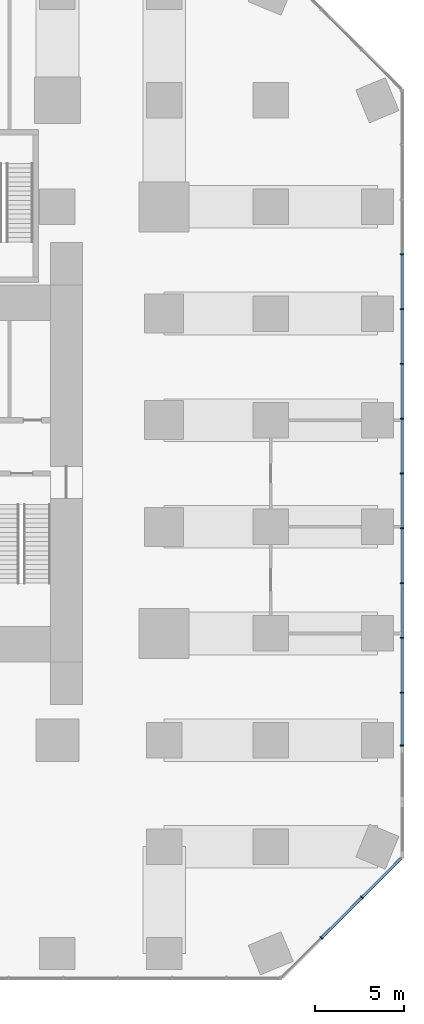
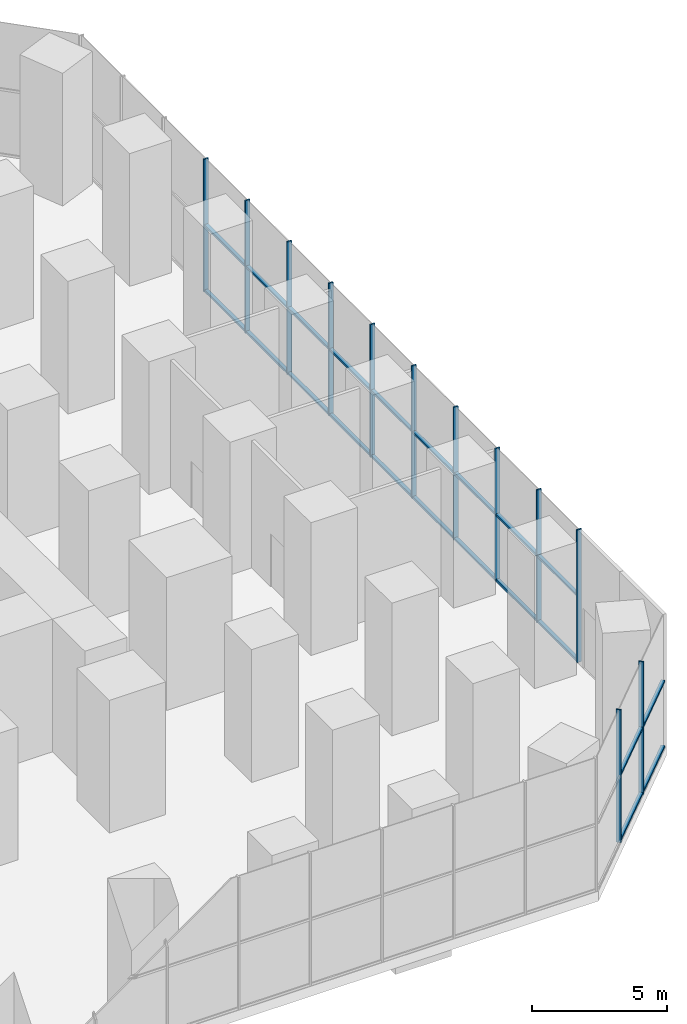
# One storey, part 8 of 21: 34 members, 2 elements without a shape of their own.
"""IFC4 building model written with IfcOpenShell, lengths in metres."""

from ifc_helpers import new_model, si_unit, direction, frame, origin, origin_2d, place, context, subcontext, project, spatial, rectangle, extrude, material, layer, layer_set, material_profile, profile_set, type_object, element, aggregate, save


model = new_model("IFC4")

# Units and contexts
model_context = context("Model", 3, precision=1e-05, world=origin(), true_north=direction((0.0, 1.0)))
body_context = subcontext(model_context, "Body", "Model", "MODEL_VIEW")
ifc_project = project(units=[si_unit("LENGTHUNIT", "METRE"), si_unit("AREAUNIT", "SQUARE_METRE"), si_unit("VOLUMEUNIT", "CUBIC_METRE"), si_unit("PLANEANGLEUNIT", "RADIAN"), si_unit("MASSUNIT", "GRAM", prefix="KILO")], contexts=[model_context])

# Site, building, storey
site_placement = place(None, origin())
site = spatial("IfcSite", under=ifc_project, at=site_placement, CompositionType="ELEMENT")
building_placement = place(site_placement, origin())
building = spatial("IfcBuilding", under=site, at=building_placement, Name="Highveld Stack Headquarters", CompositionType="ELEMENT")
storey_placement = place(building_placement, origin())
storey = spatial("IfcBuildingStorey", under=building, at=storey_placement, Name="L00", CompositionType="ELEMENT", Elevation=0.0)

# Curtain wall, members
ifc_material_1 = material(Name="Aluminium bronze anodised", Category="aluminium")
ifc_layer = layer(ifc_material_1, 0.199951171875)
ifc_layer_set = layer_set([ifc_layer], Name="Aluminium bronze anodised")
curtain_wall_type = type_object("IfcCurtainWallType", Name="CW3 PODIUM STICK CURTAIN WALL", PredefinedType="NOTDEFINED", material=ifc_layer_set)
curtain_wall_1_placement = place(storey_placement, origin())
curtain_wall_1 = element("IfcCurtainWall", 1, at=curtain_wall_1_placement, inside=storey, type_object=curtain_wall_type, Name="Curtain wall CW3 L00 SE", PredefinedType="NOTDEFINED")
ifc_material_2 = material(Name="Aluminium bronze anodised", Category="aluminium")
ifc_material_profile_1 = material_profile(ifc_material_2, rectangle(XDim=0.199951171875, YDim=0.06494140625, at=origin_2d()), Name="CW3 MULLION 65x200")
ifc_profile_set_1 = profile_set([ifc_material_profile_1], Name="Aluminium bronze anodised")
member_type_1 = type_object("IfcMemberType", Name="CW3 MULLION 65x200", PredefinedType="MULLION", material=ifc_profile_set_1)
member_1_placement = place(storey_placement, frame((32.853271484375, -23.126708984375, 0.0), z_axis=(0.0, 0.0, 1.0), x_axis=(-0.707106781187, 0.707106781187, 0.0)))
member_1 = element("IfcMember", 2, at=member_1_placement, type_object=member_type_1, Name="CW3 mullion L00 1", PredefinedType="MULLION", context=body_context, shape_type="SweptSolid", body=[
    extrude(rectangle(XDim=0.199951171875, YDim=0.06494140625, at=origin_2d()), origin(), (0.0, 0.0, 1.0), 6.0),
])
member_2_placement = place(storey_placement, frame((35.126708984375, -20.853271484375, 0.0), z_axis=(0.0, 0.0, 1.0), x_axis=(-0.707106781187, 0.707106781187, 0.0)))
member_2 = element("IfcMember", 3, at=member_2_placement, type_object=member_type_1, Name="CW3 mullion L00 2", PredefinedType="MULLION", context=body_context, shape_type="SweptSolid", body=[
    extrude(rectangle(XDim=0.199951171875, YDim=0.06494140625, at=origin_2d()), origin(), (0.0, 0.0, 1.0), 6.0),
])

curtain_wall_2_placement = place(storey_placement, origin())
curtain_wall_2 = element("IfcCurtainWall", 4, at=curtain_wall_2_placement, inside=storey, type_object=curtain_wall_type, Name="Curtain wall CW3 L00 E", PredefinedType="NOTDEFINED")
member_3_placement = place(storey_placement, frame((37.39990234375, -12.306640625, 0.0), z_axis=(0.0, 0.0, 1.0), x_axis=(-1.0, 0.0, 0.0)))
member_3 = element("IfcMember", 5, at=member_3_placement, type_object=member_type_1, Name="CW3 mullion L00 1", PredefinedType="MULLION", context=body_context, shape_type="SweptSolid", body=[
    extrude(rectangle(XDim=0.199951171875, YDim=0.06494140625, at=origin_2d()), origin(), (0.0, 0.0, 1.0), 6.0),
])
member_4_placement = place(storey_placement, frame((37.39990234375, -9.331298828125, 0.0), z_axis=(0.0, 0.0, 1.0), x_axis=(-1.0, 0.0, 0.0)))
member_4 = element("IfcMember", 6, at=member_4_placement, type_object=member_type_1, Name="CW3 mullion L00 2", PredefinedType="MULLION", context=body_context, shape_type="SweptSolid", body=[
    extrude(rectangle(XDim=0.199951171875, YDim=0.06494140625, at=origin_2d()), origin(), (0.0, 0.0, 1.0), 6.0),
])
member_5_placement = place(storey_placement, frame((37.39990234375, -6.24853515625, 0.0), z_axis=(0.0, 0.0, 1.0), x_axis=(-1.0, 0.0, 0.0)))
member_5 = element("IfcMember", 7, at=member_5_placement, type_object=member_type_1, Name="CW3 mullion L00 3", PredefinedType="MULLION", context=body_context, shape_type="SweptSolid", body=[
    extrude(rectangle(XDim=0.199951171875, YDim=0.06494140625, at=origin_2d()), origin(), (0.0, 0.0, 1.0), 6.0),
])
member_6_placement = place(storey_placement, frame((37.39990234375, -3.165771484375, 0.0), z_axis=(0.0, 0.0, 1.0), x_axis=(-1.0, 0.0, 0.0)))
member_6 = element("IfcMember", 8, at=member_6_placement, type_object=member_type_1, Name="CW3 mullion L00 4", PredefinedType="MULLION", context=body_context, shape_type="SweptSolid", body=[
    extrude(rectangle(XDim=0.199951171875, YDim=0.06494140625, at=origin_2d()), origin(), (0.0, 0.0, 1.0), 6.0),
])
member_7_placement = place(storey_placement, frame((37.39990234375, -0.082763671875, 0.0), z_axis=(0.0, 0.0, 1.0), x_axis=(-1.0, 0.0, 0.0)))
member_7 = element("IfcMember", 9, at=member_7_placement, type_object=member_type_1, Name="CW3 mullion L00 5", PredefinedType="MULLION", context=body_context, shape_type="SweptSolid", body=[
    extrude(rectangle(XDim=0.199951171875, YDim=0.06494140625, at=origin_2d()), origin(), (0.0, 0.0, 1.0), 6.0),
])
member_8_placement = place(storey_placement, frame((37.39990234375, 3.0, 0.0), z_axis=(0.0, 0.0, 1.0), x_axis=(-1.0, 0.0, 0.0)))
member_8 = element("IfcMember", 10, at=member_8_placement, type_object=member_type_1, Name="CW3 mullion L00 6", PredefinedType="MULLION", context=body_context, shape_type="SweptSolid", body=[
    extrude(rectangle(XDim=0.199951171875, YDim=0.06494140625, at=origin_2d()), origin(), (0.0, 0.0, 1.0), 6.0),
])
member_9_placement = place(storey_placement, frame((37.39990234375, 6.082763671875, 0.0), z_axis=(0.0, 0.0, 1.0), x_axis=(-1.0, 0.0, 0.0)))
member_9 = element("IfcMember", 11, at=member_9_placement, type_object=member_type_1, Name="CW3 mullion L00 7", PredefinedType="MULLION", context=body_context, shape_type="SweptSolid", body=[
    extrude(rectangle(XDim=0.199951171875, YDim=0.06494140625, at=origin_2d()), origin(), (0.0, 0.0, 1.0), 6.0),
])
member_10_placement = place(storey_placement, frame((37.39990234375, 9.165771484375, 0.0), z_axis=(0.0, 0.0, 1.0), x_axis=(-1.0, 0.0, 0.0)))
member_10 = element("IfcMember", 12, at=member_10_placement, type_object=member_type_1, Name="CW3 mullion L00 8", PredefinedType="MULLION", context=body_context, shape_type="SweptSolid", body=[
    extrude(rectangle(XDim=0.199951171875, YDim=0.06494140625, at=origin_2d()), origin(), (0.0, 0.0, 1.0), 6.0),
])
member_11_placement = place(storey_placement, frame((37.39990234375, 12.24853515625, 0.0), z_axis=(0.0, 0.0, 1.0), x_axis=(-1.0, 0.0, 0.0)))
member_11 = element("IfcMember", 13, at=member_11_placement, type_object=member_type_1, Name="CW3 mullion L00 9", PredefinedType="MULLION", context=body_context, shape_type="SweptSolid", body=[
    extrude(rectangle(XDim=0.199951171875, YDim=0.06494140625, at=origin_2d()), origin(), (0.0, 0.0, 1.0), 6.0),
])
member_12_placement = place(storey_placement, frame((37.39990234375, 15.331298828125, 0.0), z_axis=(0.0, 0.0, 1.0), x_axis=(-1.0, 0.0, 0.0)))
member_12 = element("IfcMember", 14, at=member_12_placement, type_object=member_type_1, Name="CW3 mullion L00 10", PredefinedType="MULLION", context=body_context, shape_type="SweptSolid", body=[
    extrude(rectangle(XDim=0.199951171875, YDim=0.06494140625, at=origin_2d()), origin(), (0.0, 0.0, 1.0), 6.0),
])

# Member
ifc_material_3 = material(Name="Aluminium bronze anodised", Category="aluminium")
ifc_material_profile_2 = material_profile(ifc_material_3, rectangle(XDim=0.14990234375, YDim=0.10009765625, at=origin_2d()), Name="CW3 TRANSOM 150x100")
ifc_profile_set_2 = profile_set([ifc_material_profile_2], Name="Aluminium bronze anodised")
member_type_2 = type_object("IfcMemberType", Name="CW3 STACK TRANSOM 150x100", PredefinedType="USERDEFINED", material=ifc_profile_set_2)
member_13_placement = place(storey_placement, frame((32.876220703125, -23.103759765625, 0.050048828125), z_axis=(0.707106781187, 0.707106781187, 0.0), x_axis=(-0.707106781187, 0.707106781187, 0.0)))
member_13 = element("IfcMember", 15, at=member_13_placement, type_object=member_type_2, Name="CW3 transom L00 2.1", ObjectType="TRANSOM", PredefinedType="USERDEFINED", context=body_context, shape_type="SweptSolid", body=[
    extrude(rectangle(XDim=0.14990234375, YDim=0.10009765625, at=origin_2d()), origin(), (0.0, 0.0, 1.0), 3.150146484375),
])

member_14_placement = place(storey_placement, frame((32.876220703125, -23.103759765625, 3.0), z_axis=(0.707106781187, 0.707106781187, 0.0), x_axis=(-0.707106781187, 0.707106781187, 0.0)))
member_14 = element("IfcMember", 16, at=member_14_placement, type_object=member_type_2, Name="CW3 transom L00 2.2", ObjectType="TRANSOM", PredefinedType="USERDEFINED", context=body_context, shape_type="SweptSolid", body=[
    extrude(rectangle(XDim=0.14990234375, YDim=0.10009765625, at=origin_2d()), origin(), (0.0, 0.0, 1.0), 3.150146484375),
])

member_15_placement = place(storey_placement, frame((35.149658203125, -20.830322265625, 0.050048828125), z_axis=(0.707106781187, 0.707106781187, 0.0), x_axis=(-0.707106781187, 0.707106781187, 0.0)))
member_15 = element("IfcMember", 17, at=member_15_placement, type_object=member_type_2, Name="CW3 transom L00 3.1", ObjectType="TRANSOM", PredefinedType="USERDEFINED", context=body_context, shape_type="SweptSolid", body=[
    extrude(rectangle(XDim=0.14990234375, YDim=0.10009765625, at=origin_2d()), origin(), (0.0, 0.0, 1.0), 3.08251953125),
])

member_16_placement = place(storey_placement, frame((35.149658203125, -20.830322265625, 3.0), z_axis=(0.707106781187, 0.707106781187, 0.0), x_axis=(-0.707106781187, 0.707106781187, 0.0)))
member_16 = element("IfcMember", 18, at=member_16_placement, type_object=member_type_2, Name="CW3 transom L00 3.2", ObjectType="TRANSOM", PredefinedType="USERDEFINED", context=body_context, shape_type="SweptSolid", body=[
    extrude(rectangle(XDim=0.14990234375, YDim=0.10009765625, at=origin_2d()), origin(), (0.0, 0.0, 1.0), 3.08251953125),
])

aggregate(curtain_wall_1, [member_1, member_2, member_13, member_14, member_15, member_16])

member_17_placement = place(storey_placement, frame((37.39990234375, -12.274169921875, 0.050048828125), z_axis=(0.0, 1.0, 0.0), x_axis=(-1.0, 0.0, 0.0)))
member_17 = element("IfcMember", 19, at=member_17_placement, type_object=member_type_2, Name="CW3 transom L00 3.1", ObjectType="TRANSOM", PredefinedType="USERDEFINED", context=body_context, shape_type="SweptSolid", body=[
    extrude(rectangle(XDim=0.14990234375, YDim=0.10009765625, at=origin_2d()), origin(), (0.0, 0.0, 1.0), 2.91015625),
])

member_18_placement = place(storey_placement, frame((37.39990234375, -12.274169921875, 3.0), z_axis=(0.0, 1.0, 0.0), x_axis=(-1.0, 0.0, 0.0)))
member_18 = element("IfcMember", 20, at=member_18_placement, type_object=member_type_2, Name="CW3 transom L00 3.2", ObjectType="TRANSOM", PredefinedType="USERDEFINED", context=body_context, shape_type="SweptSolid", body=[
    extrude(rectangle(XDim=0.14990234375, YDim=0.10009765625, at=origin_2d()), origin(), (0.0, 0.0, 1.0), 2.91015625),
])

member_19_placement = place(storey_placement, frame((37.39990234375, -9.298828125, 0.050048828125), z_axis=(0.0, 1.0, 0.0), x_axis=(-1.0, 0.0, 0.0)))
member_19 = element("IfcMember", 21, at=member_19_placement, type_object=member_type_2, Name="CW3 transom L00 4.1", ObjectType="TRANSOM", PredefinedType="USERDEFINED", context=body_context, shape_type="SweptSolid", body=[
    extrude(rectangle(XDim=0.14990234375, YDim=0.10009765625, at=origin_2d()), origin(), (0.0, 0.0, 1.0), 3.017822265625),
])

member_20_placement = place(storey_placement, frame((37.39990234375, -9.298828125, 3.0), z_axis=(0.0, 1.0, 0.0), x_axis=(-1.0, 0.0, 0.0)))
member_20 = element("IfcMember", 22, at=member_20_placement, type_object=member_type_2, Name="CW3 transom L00 4.2", ObjectType="TRANSOM", PredefinedType="USERDEFINED", context=body_context, shape_type="SweptSolid", body=[
    extrude(rectangle(XDim=0.14990234375, YDim=0.10009765625, at=origin_2d()), origin(), (0.0, 0.0, 1.0), 3.017822265625),
])

member_21_placement = place(storey_placement, frame((37.39990234375, -6.216064453125, 0.050048828125), z_axis=(0.0, 1.0, 0.0), x_axis=(-1.0, 0.0, 0.0)))
member_21 = element("IfcMember", 23, at=member_21_placement, type_object=member_type_2, Name="CW3 transom L00 5.1", ObjectType="TRANSOM", PredefinedType="USERDEFINED", context=body_context, shape_type="SweptSolid", body=[
    extrude(rectangle(XDim=0.14990234375, YDim=0.10009765625, at=origin_2d()), origin(), (0.0, 0.0, 1.0), 3.017822265625),
])

member_22_placement = place(storey_placement, frame((37.39990234375, -6.216064453125, 3.0), z_axis=(0.0, 1.0, 0.0), x_axis=(-1.0, 0.0, 0.0)))
member_22 = element("IfcMember", 24, at=member_22_placement, type_object=member_type_2, Name="CW3 transom L00 5.2", ObjectType="TRANSOM", PredefinedType="USERDEFINED", context=body_context, shape_type="SweptSolid", body=[
    extrude(rectangle(XDim=0.14990234375, YDim=0.10009765625, at=origin_2d()), origin(), (0.0, 0.0, 1.0), 3.017822265625),
])

member_23_placement = place(storey_placement, frame((37.39990234375, -3.13330078125, 0.050048828125), z_axis=(0.0, 1.0, 0.0), x_axis=(-1.0, 0.0, 0.0)))
member_23 = element("IfcMember", 25, at=member_23_placement, type_object=member_type_2, Name="CW3 transom L00 6.1", ObjectType="TRANSOM", PredefinedType="USERDEFINED", context=body_context, shape_type="SweptSolid", body=[
    extrude(rectangle(XDim=0.14990234375, YDim=0.10009765625, at=origin_2d()), origin(), (0.0, 0.0, 1.0), 3.01806640625),
])

member_24_placement = place(storey_placement, frame((37.39990234375, -3.13330078125, 3.0), z_axis=(0.0, 1.0, 0.0), x_axis=(-1.0, 0.0, 0.0)))
member_24 = element("IfcMember", 26, at=member_24_placement, type_object=member_type_2, Name="CW3 transom L00 6.2", ObjectType="TRANSOM", PredefinedType="USERDEFINED", context=body_context, shape_type="SweptSolid", body=[
    extrude(rectangle(XDim=0.14990234375, YDim=0.10009765625, at=origin_2d()), origin(), (0.0, 0.0, 1.0), 3.01806640625),
])

member_25_placement = place(storey_placement, frame((37.39990234375, -0.05029296875, 0.050048828125), z_axis=(0.0, 1.0, 0.0), x_axis=(-1.0, 0.0, 0.0)))
member_25 = element("IfcMember", 27, at=member_25_placement, type_object=member_type_2, Name="CW3 transom L00 7.1", ObjectType="TRANSOM", PredefinedType="USERDEFINED", context=body_context, shape_type="SweptSolid", body=[
    extrude(rectangle(XDim=0.14990234375, YDim=0.10009765625, at=origin_2d()), origin(), (0.0, 0.0, 1.0), 3.017822265625),
])

member_26_placement = place(storey_placement, frame((37.39990234375, -0.05029296875, 3.0), z_axis=(0.0, 1.0, 0.0), x_axis=(-1.0, 0.0, 0.0)))
member_26 = element("IfcMember", 28, at=member_26_placement, type_object=member_type_2, Name="CW3 transom L00 7.2", ObjectType="TRANSOM", PredefinedType="USERDEFINED", context=body_context, shape_type="SweptSolid", body=[
    extrude(rectangle(XDim=0.14990234375, YDim=0.10009765625, at=origin_2d()), origin(), (0.0, 0.0, 1.0), 3.017822265625),
])

member_27_placement = place(storey_placement, frame((37.39990234375, 3.032470703125, 0.050048828125), z_axis=(0.0, 1.0, 0.0), x_axis=(-1.0, 0.0, 0.0)))
member_27 = element("IfcMember", 29, at=member_27_placement, type_object=member_type_2, Name="CW3 transom L00 8.1", ObjectType="TRANSOM", PredefinedType="USERDEFINED", context=body_context, shape_type="SweptSolid", body=[
    extrude(rectangle(XDim=0.14990234375, YDim=0.10009765625, at=origin_2d()), origin(), (0.0, 0.0, 1.0), 3.017822265625),
])

member_28_placement = place(storey_placement, frame((37.39990234375, 3.032470703125, 3.0), z_axis=(0.0, 1.0, 0.0), x_axis=(-1.0, 0.0, 0.0)))
member_28 = element("IfcMember", 30, at=member_28_placement, type_object=member_type_2, Name="CW3 transom L00 8.2", ObjectType="TRANSOM", PredefinedType="USERDEFINED", context=body_context, shape_type="SweptSolid", body=[
    extrude(rectangle(XDim=0.14990234375, YDim=0.10009765625, at=origin_2d()), origin(), (0.0, 0.0, 1.0), 3.017822265625),
])

member_29_placement = place(storey_placement, frame((37.39990234375, 6.115234375, 0.050048828125), z_axis=(0.0, 1.0, 0.0), x_axis=(-1.0, 0.0, 0.0)))
member_29 = element("IfcMember", 31, at=member_29_placement, type_object=member_type_2, Name="CW3 transom L00 9.1", ObjectType="TRANSOM", PredefinedType="USERDEFINED", context=body_context, shape_type="SweptSolid", body=[
    extrude(rectangle(XDim=0.14990234375, YDim=0.10009765625, at=origin_2d()), origin(), (0.0, 0.0, 1.0), 3.01806640625),
])

member_30_placement = place(storey_placement, frame((37.39990234375, 6.115234375, 3.0), z_axis=(0.0, 1.0, 0.0), x_axis=(-1.0, 0.0, 0.0)))
member_30 = element("IfcMember", 32, at=member_30_placement, type_object=member_type_2, Name="CW3 transom L00 9.2", ObjectType="TRANSOM", PredefinedType="USERDEFINED", context=body_context, shape_type="SweptSolid", body=[
    extrude(rectangle(XDim=0.14990234375, YDim=0.10009765625, at=origin_2d()), origin(), (0.0, 0.0, 1.0), 3.01806640625),
])

member_31_placement = place(storey_placement, frame((37.39990234375, 9.1982421875, 0.050048828125), z_axis=(0.0, 1.0, 0.0), x_axis=(-1.0, 0.0, 0.0)))
member_31 = element("IfcMember", 33, at=member_31_placement, type_object=member_type_2, Name="CW3 transom L00 10.1", ObjectType="TRANSOM", PredefinedType="USERDEFINED", context=body_context, shape_type="SweptSolid", body=[
    extrude(rectangle(XDim=0.14990234375, YDim=0.10009765625, at=origin_2d()), origin(), (0.0, 0.0, 1.0), 3.017822265625),
])

member_32_placement = place(storey_placement, frame((37.39990234375, 9.1982421875, 3.0), z_axis=(0.0, 1.0, 0.0), x_axis=(-1.0, 0.0, 0.0)))
member_32 = element("IfcMember", 34, at=member_32_placement, type_object=member_type_2, Name="CW3 transom L00 10.2", ObjectType="TRANSOM", PredefinedType="USERDEFINED", context=body_context, shape_type="SweptSolid", body=[
    extrude(rectangle(XDim=0.14990234375, YDim=0.10009765625, at=origin_2d()), origin(), (0.0, 0.0, 1.0), 3.017822265625),
])

member_33_placement = place(storey_placement, frame((37.39990234375, 12.281005859375, 0.050048828125), z_axis=(0.0, 1.0, 0.0), x_axis=(-1.0, 0.0, 0.0)))
member_33 = element("IfcMember", 35, at=member_33_placement, type_object=member_type_2, Name="CW3 transom L00 11.1", ObjectType="TRANSOM", PredefinedType="USERDEFINED", context=body_context, shape_type="SweptSolid", body=[
    extrude(rectangle(XDim=0.14990234375, YDim=0.10009765625, at=origin_2d()), origin(), (0.0, 0.0, 1.0), 3.017822265625),
])

member_34_placement = place(storey_placement, frame((37.39990234375, 12.281005859375, 3.0), z_axis=(0.0, 1.0, 0.0), x_axis=(-1.0, 0.0, 0.0)))
member_34 = element("IfcMember", 36, at=member_34_placement, type_object=member_type_2, Name="CW3 transom L00 11.2", ObjectType="TRANSOM", PredefinedType="USERDEFINED", context=body_context, shape_type="SweptSolid", body=[
    extrude(rectangle(XDim=0.14990234375, YDim=0.10009765625, at=origin_2d()), origin(), (0.0, 0.0, 1.0), 3.017822265625),
])

aggregate(curtain_wall_2, [member_3, member_4, member_5, member_6, member_7, member_8, member_9, member_10, member_11, member_12, member_17, member_18, member_19, member_20, member_21, member_22, member_23, member_24, member_25, member_26, member_27, member_28, member_29, member_30, member_31, member_32, member_33, member_34])

save(model, "model.ifc")
